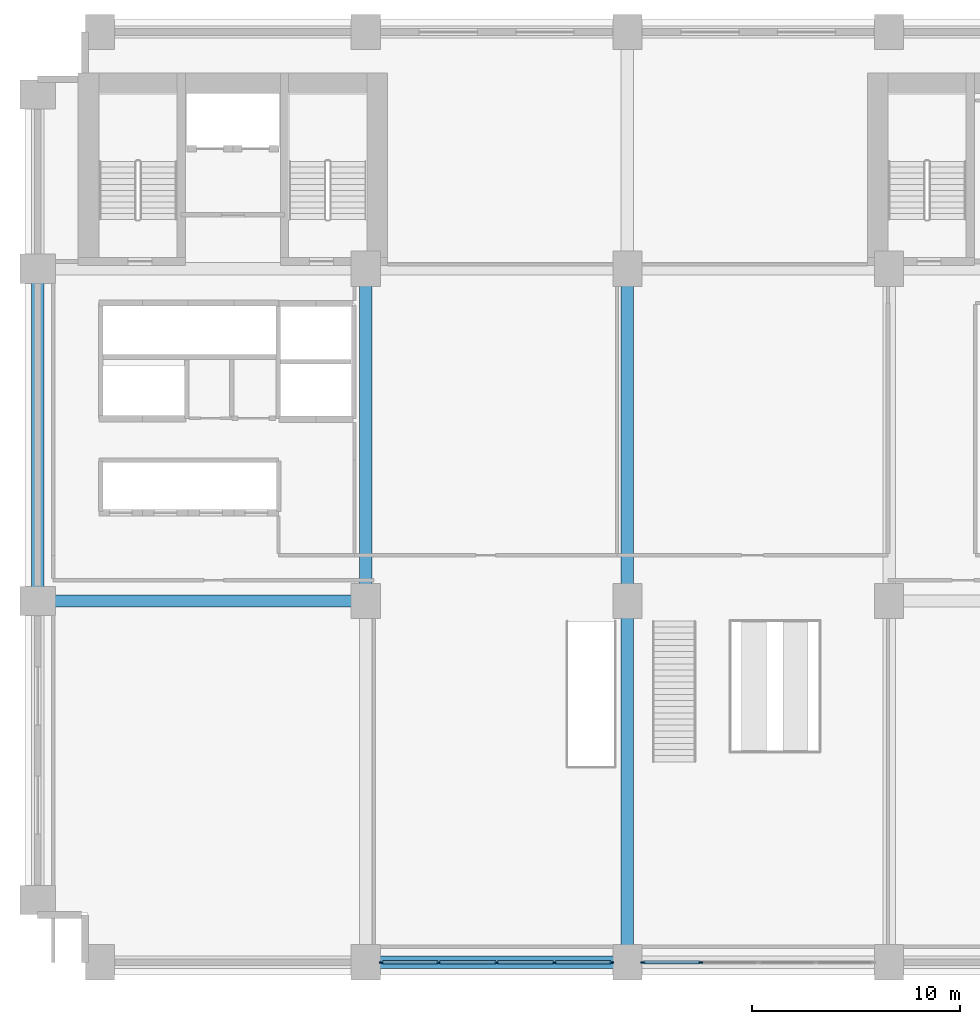
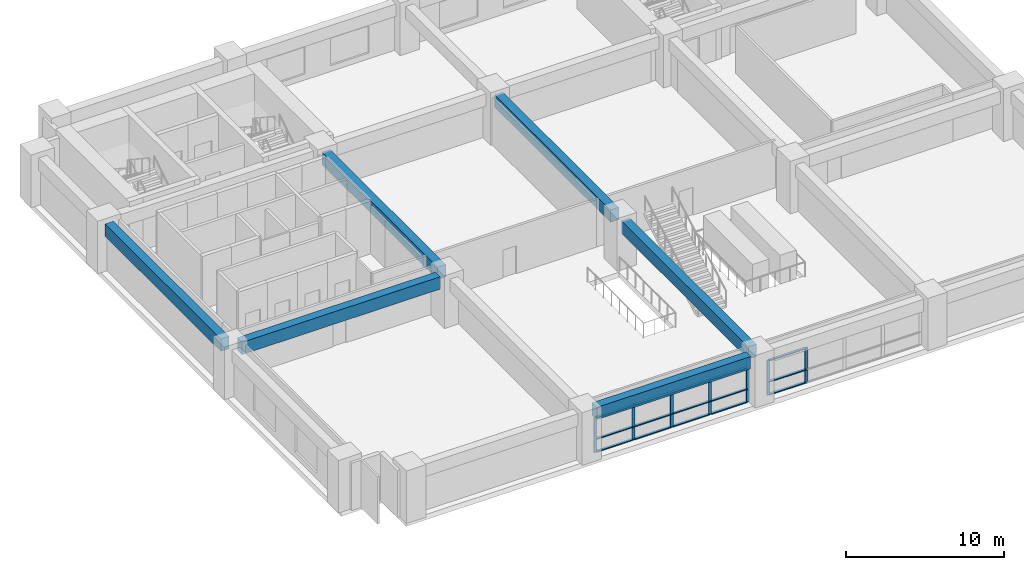
# One storey, part 2 of 11: 22 members, 6 beams, 2 elements without a shape of their own.
"""IFC4 building model written with IfcOpenShell, lengths in metres."""

from ifc_helpers import new_model, si_unit, direction, frame, origin, origin_2d, place, context, subcontext, project, spatial, rectangle, extrude, material, layer, layer_set, material_profile, profile_set, type_object, element, aggregate, save


model = new_model("IFC4")

# Units and contexts
model_context = context("Model", 3, precision=1e-05, world=origin(), true_north=direction((0.0, 1.0)))
body_context = subcontext(model_context, "Body", "Model", "MODEL_VIEW")
ifc_project = project(units=[si_unit("LENGTHUNIT", "METRE"), si_unit("AREAUNIT", "SQUARE_METRE"), si_unit("VOLUMEUNIT", "CUBIC_METRE"), si_unit("PLANEANGLEUNIT", "RADIAN"), si_unit("MASSUNIT", "GRAM", prefix="KILO")], contexts=[model_context])

# Site, building, storey
site_placement = place(None, origin())
site = spatial("IfcSite", under=ifc_project, at=site_placement, CompositionType="ELEMENT")
building_placement = place(site_placement, origin())
building = spatial("IfcBuilding", under=site, at=building_placement, Name="Sulina Concourse Tower", CompositionType="ELEMENT")
storey_placement = place(building_placement, frame((0.0, 0.0, 9.449951171875)))
storey = spatial("IfcBuildingStorey", under=building, at=storey_placement, Name="L02", CompositionType="ELEMENT", Elevation=9.449951171875)

# Beams
ifc_material_1 = material(Name="Concrete C60/75", Category="concrete")
ifc_material_profile_1 = material_profile(ifc_material_1, rectangle(XDim=0.60009765625, YDim=0.949951171875, at=origin_2d()), Name="RC 600x950")
ifc_profile_set_1 = profile_set([ifc_material_profile_1], Name="Concrete C60/75")
beam_type = type_object("IfcBeamType", Name="Basement & Podium Primary Beam 600x950", PredefinedType="BEAM", material=ifc_profile_set_1)
beam_1_placement = place(storey_placement, frame((1.280029296875, 18.0, 3.175048828125), z_axis=(1.0, 0.0, 0.0), x_axis=(0.0, 1.0, 0.0)))
element("IfcBeam", 1, at=beam_1_placement, inside=storey, type_object=beam_type, Name="PB-M0-L02", PredefinedType="BEAM", context=body_context, shape_type="SweptSolid", body=[
    extrude(rectangle(XDim=0.60009765625, YDim=0.949951171875, at=origin_2d()), origin(), (0.0, 0.0, 1.0), 14.43994140625),
])
beam_2_placement = place(storey_placement, frame((17.080078125, 0.60009765625, 3.175048828125), z_axis=(1.0, 0.0, 0.0), x_axis=(0.0, 1.0, 0.0)))
element("IfcBeam", 2, at=beam_2_placement, inside=storey, type_object=beam_type, Name="PB-S2-L02", PredefinedType="BEAM", context=body_context, shape_type="SweptSolid", body=[
    extrude(rectangle(XDim=0.60009765625, YDim=0.949951171875, at=origin_2d()), origin(), (0.0, 0.0, 1.0), 11.239990234375),
])
for number, where, z_axis, x_axis, name in (
    (3, (0.60009765625, 18.679931640625, 3.175048828125), (0.0, 1.0, 0.0), (-1.0, 0.0, 0.0), "PB-W2-L02"),
    (4, (16.39990234375, 18.679931640625, 3.175048828125), (0.0, 1.0, 0.0), (-1.0, 0.0, 0.0), "PB-NS1B-L02"),
):
    element("IfcBeam", number, at=place(storey_placement, frame(where, z_axis=z_axis, x_axis=x_axis)), inside=storey, type_object=beam_type, Name=name, PredefinedType="BEAM", context=body_context, shape_type="SweptSolid", body=[
        extrude(rectangle(XDim=0.60009765625, YDim=0.949951171875, at=origin_2d()), origin(), (0.0, 0.0, 1.0), 14.64013671875),
    ])
beam_3_placement = place(storey_placement, frame((29.0, 1.280029296875, 3.175048828125), z_axis=(0.0, 1.0, 0.0), x_axis=(-1.0, 0.0, 0.0)))
element("IfcBeam", 5, at=beam_3_placement, inside=storey, type_object=beam_type, Name="PB-NS2A-L02", PredefinedType="BEAM", context=body_context, shape_type="SweptSolid", body=[
    extrude(rectangle(XDim=0.60009765625, YDim=0.949951171875, at=origin_2d()), origin(), (0.0, 0.0, 1.0), 16.0400390625),
])
beam_4_placement = place(storey_placement, frame((29.0, 18.679931640625, 3.175048828125), z_axis=(0.0, 1.0, 0.0), x_axis=(-1.0, 0.0, 0.0)))
element("IfcBeam", 6, at=beam_4_placement, inside=storey, type_object=beam_type, Name="PB-NS2B-L02", PredefinedType="BEAM", context=body_context, shape_type="SweptSolid", body=[
    extrude(rectangle(XDim=0.60009765625, YDim=0.949951171875, at=origin_2d()), origin(), (0.0, 0.0, 1.0), 14.64013671875),
])

# Curtain wall, members
ifc_material_2 = material(Name="Anodised bronze aluminium", Category="aluminium")
ifc_layer = layer(ifc_material_2, 0.239990234375)
ifc_layer_set = layer_set([ifc_layer], Name="Anodised bronze aluminium")
curtain_wall_type = type_object("IfcCurtainWallType", Name="Station Concourse Curtain Wall System", PredefinedType="NOTDEFINED", material=ifc_layer_set)
curtain_wall_1_placement = place(storey_placement, origin())
curtain_wall_1 = element("IfcCurtainWall", 7, at=curtain_wall_1_placement, inside=storey, type_object=curtain_wall_type, Name="L02 glazed curtain wall S2", PredefinedType="NOTDEFINED")
ifc_material_3 = material(Name="Anodised bronze aluminium", Category="aluminium")
ifc_material_profile_2 = material_profile(ifc_material_3, rectangle(XDim=0.074951171875, YDim=0.219970703125, at=origin_2d()), Name="MUL 75x220")
ifc_profile_set_2 = profile_set([ifc_material_profile_2], Name="Anodised bronze aluminium")
member_type_1 = type_object("IfcMemberType", Name="Station Concourse Curtain Wall System Mullion 75x220", PredefinedType="MULLION", material=ifc_profile_set_2)
member_1_placement = place(storey_placement, frame((28.242431640625, 0.60009765625, 0.0), z_axis=(0.0, 0.0, 1.0), x_axis=(0.0, -1.0, 0.0)))
member_1 = element("IfcMember", 8, at=member_1_placement, type_object=member_type_1, Name="CW-01 mullion 1", PredefinedType="MULLION", context=body_context, shape_type="SweptSolid", body=[
    extrude(rectangle(XDim=0.074951171875, YDim=0.219970703125, at=origin_2d()), origin(), (0.0, 0.0, 1.0), 2.699951171875),
])
member_2_placement = place(storey_placement, frame((25.489990234375, 0.60009765625, 0.0), z_axis=(0.0, 0.0, 1.0), x_axis=(0.0, -1.0, 0.0)))
member_2 = element("IfcMember", 9, at=member_2_placement, type_object=member_type_1, Name="CW-01 mullion 2", PredefinedType="MULLION", context=body_context, shape_type="SweptSolid", body=[
    extrude(rectangle(XDim=0.074951171875, YDim=0.219970703125, at=origin_2d()), origin(), (0.0, 0.0, 1.0), 2.699951171875),
])
member_3_placement = place(storey_placement, frame((22.699951171875, 0.60009765625, 0.0), z_axis=(0.0, 0.0, 1.0), x_axis=(0.0, -1.0, 0.0)))
member_3 = element("IfcMember", 10, at=member_3_placement, type_object=member_type_1, Name="CW-01 mullion 3", PredefinedType="MULLION", context=body_context, shape_type="SweptSolid", body=[
    extrude(rectangle(XDim=0.074951171875, YDim=0.219970703125, at=origin_2d()), origin(), (0.0, 0.0, 1.0), 2.699951171875),
])
member_4_placement = place(storey_placement, frame((19.909912109375, 0.60009765625, 0.0), z_axis=(0.0, 0.0, 1.0), x_axis=(0.0, -1.0, 0.0)))
member_4 = element("IfcMember", 11, at=member_4_placement, type_object=member_type_1, Name="CW-01 mullion 4", PredefinedType="MULLION", context=body_context, shape_type="SweptSolid", body=[
    extrude(rectangle(XDim=0.074951171875, YDim=0.219970703125, at=origin_2d()), origin(), (0.0, 0.0, 1.0), 2.699951171875),
])
member_5_placement = place(storey_placement, frame((17.157470703125, 0.60009765625, 0.0), z_axis=(0.0, 0.0, 1.0), x_axis=(0.0, -1.0, 0.0)))
member_5 = element("IfcMember", 12, at=member_5_placement, type_object=member_type_1, Name="CW-01 mullion 5", PredefinedType="MULLION", context=body_context, shape_type="SweptSolid", body=[
    extrude(rectangle(XDim=0.074951171875, YDim=0.219970703125, at=origin_2d()), origin(), (0.0, 0.0, 1.0), 2.699951171875),
])

curtain_wall_2_placement = place(storey_placement, origin())
curtain_wall_2 = element("IfcCurtainWall", 13, at=curtain_wall_2_placement, inside=storey, type_object=curtain_wall_type, Name="L02 glazed curtain wall S3", PredefinedType="NOTDEFINED")
member_6_placement = place(storey_placement, frame((32.510009765625, 0.60009765625, 0.0), z_axis=(0.0, 0.0, 1.0), x_axis=(0.0, -1.0, 0.0)))
member_6 = element("IfcMember", 14, at=member_6_placement, type_object=member_type_1, Name="CW-01 mullion 4", PredefinedType="MULLION", context=body_context, shape_type="SweptSolid", body=[
    extrude(rectangle(XDim=0.074951171875, YDim=0.219970703125, at=origin_2d()), origin(), (0.0, 0.0, 1.0), 2.699951171875),
])
member_7_placement = place(storey_placement, frame((29.757568359375, 0.60009765625, 0.0), z_axis=(0.0, 0.0, 1.0), x_axis=(0.0, -1.0, 0.0)))
member_7 = element("IfcMember", 15, at=member_7_placement, type_object=member_type_1, Name="CW-01 mullion 5", PredefinedType="MULLION", context=body_context, shape_type="SweptSolid", body=[
    extrude(rectangle(XDim=0.074951171875, YDim=0.219970703125, at=origin_2d()), origin(), (0.0, 0.0, 1.0), 2.699951171875),
])

# Member
ifc_material_4 = material(Name="Anodised bronze aluminium", Category="aluminium")
ifc_material_profile_3 = material_profile(ifc_material_4, rectangle(XDim=0.179931640625, YDim=0.074951171875, at=origin_2d()), Name="TRN 75x180")
ifc_profile_set_3 = profile_set([ifc_material_profile_3], Name="Anodised bronze aluminium")
member_type_2 = type_object("IfcMemberType", Name="Station Concourse Curtain Wall System Transom 75x180", PredefinedType="USERDEFINED", material=ifc_profile_set_3)
member_8_placement = place(storey_placement, frame((28.205078125, 0.60009765625, 0.03759765625), z_axis=(-1.0, 0.0, 0.0), x_axis=(0.0, -1.0, 0.0)))
member_8 = element("IfcMember", 16, at=member_8_placement, type_object=member_type_2, Name="CW-01 transom 1.1", ObjectType="TRANSOM", PredefinedType="USERDEFINED", context=body_context, shape_type="SweptSolid", body=[
    extrude(rectangle(XDim=0.179931640625, YDim=0.074951171875, at=origin_2d()), origin(), (0.0, 0.0, 1.0), 2.677490234375),
])

member_9_placement = place(storey_placement, frame((28.205078125, 0.60009765625, 1.026123046875), z_axis=(-1.0, 0.0, 0.0), x_axis=(0.0, -1.0, 0.0)))
member_9 = element("IfcMember", 17, at=member_9_placement, type_object=member_type_2, Name="CW-01 transom 1.2", ObjectType="TRANSOM", PredefinedType="USERDEFINED", context=body_context, shape_type="SweptSolid", body=[
    extrude(rectangle(XDim=0.179931640625, YDim=0.074951171875, at=origin_2d()), origin(), (0.0, 0.0, 1.0), 2.677490234375),
])

member_10_placement = place(storey_placement, frame((28.205078125, 0.60009765625, 2.66259765625), z_axis=(-1.0, 0.0, 0.0), x_axis=(0.0, -1.0, 0.0)))
member_10 = element("IfcMember", 18, at=member_10_placement, type_object=member_type_2, Name="CW-01 transom 1.3", ObjectType="TRANSOM", PredefinedType="USERDEFINED", context=body_context, shape_type="SweptSolid", body=[
    extrude(rectangle(XDim=0.179931640625, YDim=0.074951171875, at=origin_2d()), origin(), (0.0, 0.0, 1.0), 2.677490234375),
])

member_11_placement = place(storey_placement, frame((25.452392578125, 0.60009765625, 0.03759765625), z_axis=(-1.0, 0.0, 0.0), x_axis=(0.0, -1.0, 0.0)))
member_11 = element("IfcMember", 19, at=member_11_placement, type_object=member_type_2, Name="CW-01 transom 2.1", ObjectType="TRANSOM", PredefinedType="USERDEFINED", context=body_context, shape_type="SweptSolid", body=[
    extrude(rectangle(XDim=0.179931640625, YDim=0.074951171875, at=origin_2d()), origin(), (0.0, 0.0, 1.0), 2.71484375),
])

member_12_placement = place(storey_placement, frame((25.452392578125, 0.60009765625, 1.026123046875), z_axis=(-1.0, 0.0, 0.0), x_axis=(0.0, -1.0, 0.0)))
member_12 = element("IfcMember", 20, at=member_12_placement, type_object=member_type_2, Name="CW-01 transom 2.2", ObjectType="TRANSOM", PredefinedType="USERDEFINED", context=body_context, shape_type="SweptSolid", body=[
    extrude(rectangle(XDim=0.179931640625, YDim=0.074951171875, at=origin_2d()), origin(), (0.0, 0.0, 1.0), 2.71484375),
])

member_13_placement = place(storey_placement, frame((25.452392578125, 0.60009765625, 2.66259765625), z_axis=(-1.0, 0.0, 0.0), x_axis=(0.0, -1.0, 0.0)))
member_13 = element("IfcMember", 21, at=member_13_placement, type_object=member_type_2, Name="CW-01 transom 2.3", ObjectType="TRANSOM", PredefinedType="USERDEFINED", context=body_context, shape_type="SweptSolid", body=[
    extrude(rectangle(XDim=0.179931640625, YDim=0.074951171875, at=origin_2d()), origin(), (0.0, 0.0, 1.0), 2.71484375),
])

member_14_placement = place(storey_placement, frame((22.66259765625, 0.60009765625, 0.03759765625), z_axis=(-1.0, 0.0, 0.0), x_axis=(0.0, -1.0, 0.0)))
member_14 = element("IfcMember", 22, at=member_14_placement, type_object=member_type_2, Name="CW-01 transom 3.1", ObjectType="TRANSOM", PredefinedType="USERDEFINED", context=body_context, shape_type="SweptSolid", body=[
    extrude(rectangle(XDim=0.179931640625, YDim=0.074951171875, at=origin_2d()), origin(), (0.0, 0.0, 1.0), 2.715087890625),
])

member_15_placement = place(storey_placement, frame((22.66259765625, 0.60009765625, 1.026123046875), z_axis=(-1.0, 0.0, 0.0), x_axis=(0.0, -1.0, 0.0)))
member_15 = element("IfcMember", 23, at=member_15_placement, type_object=member_type_2, Name="CW-01 transom 3.2", ObjectType="TRANSOM", PredefinedType="USERDEFINED", context=body_context, shape_type="SweptSolid", body=[
    extrude(rectangle(XDim=0.179931640625, YDim=0.074951171875, at=origin_2d()), origin(), (0.0, 0.0, 1.0), 2.715087890625),
])

member_16_placement = place(storey_placement, frame((22.66259765625, 0.60009765625, 2.66259765625), z_axis=(-1.0, 0.0, 0.0), x_axis=(0.0, -1.0, 0.0)))
member_16 = element("IfcMember", 24, at=member_16_placement, type_object=member_type_2, Name="CW-01 transom 3.3", ObjectType="TRANSOM", PredefinedType="USERDEFINED", context=body_context, shape_type="SweptSolid", body=[
    extrude(rectangle(XDim=0.179931640625, YDim=0.074951171875, at=origin_2d()), origin(), (0.0, 0.0, 1.0), 2.715087890625),
])

member_17_placement = place(storey_placement, frame((19.87255859375, 0.60009765625, 0.03759765625), z_axis=(-1.0, 0.0, 0.0), x_axis=(0.0, -1.0, 0.0)))
member_17 = element("IfcMember", 25, at=member_17_placement, type_object=member_type_2, Name="CW-01 transom 4.1", ObjectType="TRANSOM", PredefinedType="USERDEFINED", context=body_context, shape_type="SweptSolid", body=[
    extrude(rectangle(XDim=0.179931640625, YDim=0.074951171875, at=origin_2d()), origin(), (0.0, 0.0, 1.0), 2.677490234375),
])

member_18_placement = place(storey_placement, frame((19.87255859375, 0.60009765625, 1.026123046875), z_axis=(-1.0, 0.0, 0.0), x_axis=(0.0, -1.0, 0.0)))
member_18 = element("IfcMember", 26, at=member_18_placement, type_object=member_type_2, Name="CW-01 transom 4.2", ObjectType="TRANSOM", PredefinedType="USERDEFINED", context=body_context, shape_type="SweptSolid", body=[
    extrude(rectangle(XDim=0.179931640625, YDim=0.074951171875, at=origin_2d()), origin(), (0.0, 0.0, 1.0), 2.677490234375),
])

member_19_placement = place(storey_placement, frame((19.87255859375, 0.60009765625, 2.66259765625), z_axis=(-1.0, 0.0, 0.0), x_axis=(0.0, -1.0, 0.0)))
member_19 = element("IfcMember", 27, at=member_19_placement, type_object=member_type_2, Name="CW-01 transom 4.3", ObjectType="TRANSOM", PredefinedType="USERDEFINED", context=body_context, shape_type="SweptSolid", body=[
    extrude(rectangle(XDim=0.179931640625, YDim=0.074951171875, at=origin_2d()), origin(), (0.0, 0.0, 1.0), 2.677490234375),
])

aggregate(curtain_wall_1, [member_1, member_2, member_3, member_4, member_5, member_8, member_9, member_10, member_11, member_12, member_13, member_14, member_15, member_16, member_17, member_18, member_19])

member_20_placement = place(storey_placement, frame((32.472412109375, 0.60009765625, 0.03759765625), z_axis=(-1.0, 0.0, 0.0), x_axis=(0.0, -1.0, 0.0)))
member_20 = element("IfcMember", 28, at=member_20_placement, type_object=member_type_2, Name="CW-01 transom 4.1", ObjectType="TRANSOM", PredefinedType="USERDEFINED", context=body_context, shape_type="SweptSolid", body=[
    extrude(rectangle(XDim=0.179931640625, YDim=0.074951171875, at=origin_2d()), origin(), (0.0, 0.0, 1.0), 2.677490234375),
])

member_21_placement = place(storey_placement, frame((32.472412109375, 0.60009765625, 1.026123046875), z_axis=(-1.0, 0.0, 0.0), x_axis=(0.0, -1.0, 0.0)))
member_21 = element("IfcMember", 29, at=member_21_placement, type_object=member_type_2, Name="CW-01 transom 4.2", ObjectType="TRANSOM", PredefinedType="USERDEFINED", context=body_context, shape_type="SweptSolid", body=[
    extrude(rectangle(XDim=0.179931640625, YDim=0.074951171875, at=origin_2d()), origin(), (0.0, 0.0, 1.0), 2.677490234375),
])

member_22_placement = place(storey_placement, frame((32.472412109375, 0.60009765625, 2.66259765625), z_axis=(-1.0, 0.0, 0.0), x_axis=(0.0, -1.0, 0.0)))
member_22 = element("IfcMember", 30, at=member_22_placement, type_object=member_type_2, Name="CW-01 transom 4.3", ObjectType="TRANSOM", PredefinedType="USERDEFINED", context=body_context, shape_type="SweptSolid", body=[
    extrude(rectangle(XDim=0.179931640625, YDim=0.074951171875, at=origin_2d()), origin(), (0.0, 0.0, 1.0), 2.677490234375),
])

aggregate(curtain_wall_2, [member_6, member_7, member_20, member_21, member_22])

save(model, "model.ifc")
